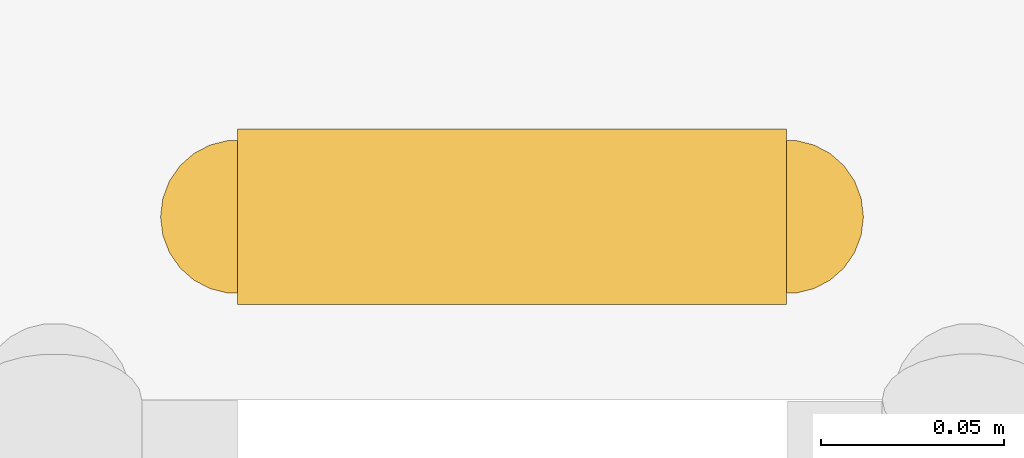
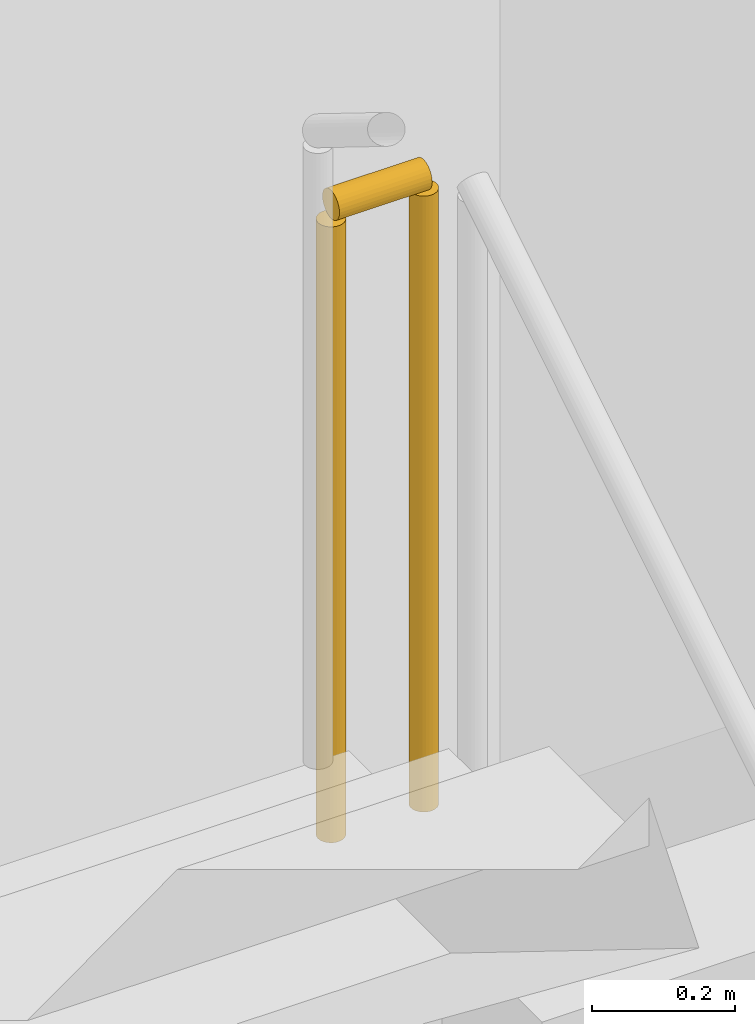
# One storey, part 26 of 27: 1 railing.
"""IFC4 building model written with IfcOpenShell, lengths in metres."""

from ifc_helpers import new_model, si_unit, direction, frame, origin, origin_2d, place, context, subcontext, project, spatial, circle, extrude, material, type_object, element, save


model = new_model("IFC4")

# Units and contexts
model_context = context("Model", 3, precision=1e-05, world=origin(), true_north=direction((0.0, 1.0)))
body_context = subcontext(model_context, "Body", "Model", "MODEL_VIEW")
ifc_project = project(units=[si_unit("LENGTHUNIT", "METRE"), si_unit("AREAUNIT", "SQUARE_METRE"), si_unit("VOLUMEUNIT", "CUBIC_METRE"), si_unit("PLANEANGLEUNIT", "RADIAN"), si_unit("MASSUNIT", "GRAM", prefix="KILO")], contexts=[model_context])

# Site, building, storey
site_placement = place(None, origin())
site = spatial("IfcSite", under=ifc_project, at=site_placement, CompositionType="ELEMENT")
building_placement = place(site_placement, origin())
building = spatial("IfcBuilding", under=site, at=building_placement, Name="Valdorenza Pilgrim Sanctuary Tower", CompositionType="ELEMENT")
storey_placement = place(building_placement, origin())
storey = spatial("IfcBuildingStorey", under=building, at=storey_placement, Name="L00", CompositionType="ELEMENT", Elevation=0.0)

# Railing
ifc_material = material(Name="Stainless steel Grade 316", Category="steel")
railing_type = type_object("IfcRailingType", Name="RLG-GRD-1120", PredefinedType="GUARDRAIL", material=ifc_material)
railing_placement = place(storey_placement, frame((18.6298828125, 6.35009765625, 2.60009765625)))
element("IfcRailing", 1, at=railing_placement, inside=storey, type_object=railing_type, Name="L00 ST-B1 stair guard 2", PredefinedType="GUARDRAIL", context=body_context, shape_type="SweptSolid", body=[
    extrude(circle(Radius=0.02392578125, at=origin_2d()), frame((0.0, 0.0, 1.076171875), z_axis=(-1.0, 0.0, 0.0), x_axis=(0.0, -1.0, 0.0)), (0.0, 0.0, 1.0), 0.14990234375),
    extrude(circle(Radius=0.02099609375, at=origin_2d()), origin(), (0.0, 0.0, 1.0), 1.052001953125),
    extrude(circle(Radius=0.02099609375, at=origin_2d()), frame((-0.14990234375, 0.0, 0.0)), (0.0, 0.0, 1.0), 1.052001953125),
])

save(model, "model.ifc")
